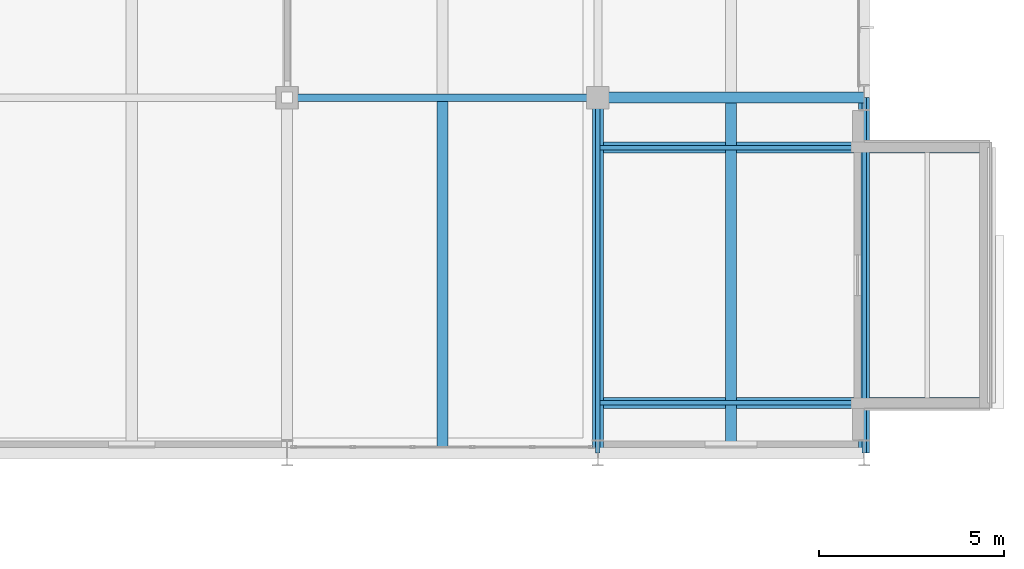
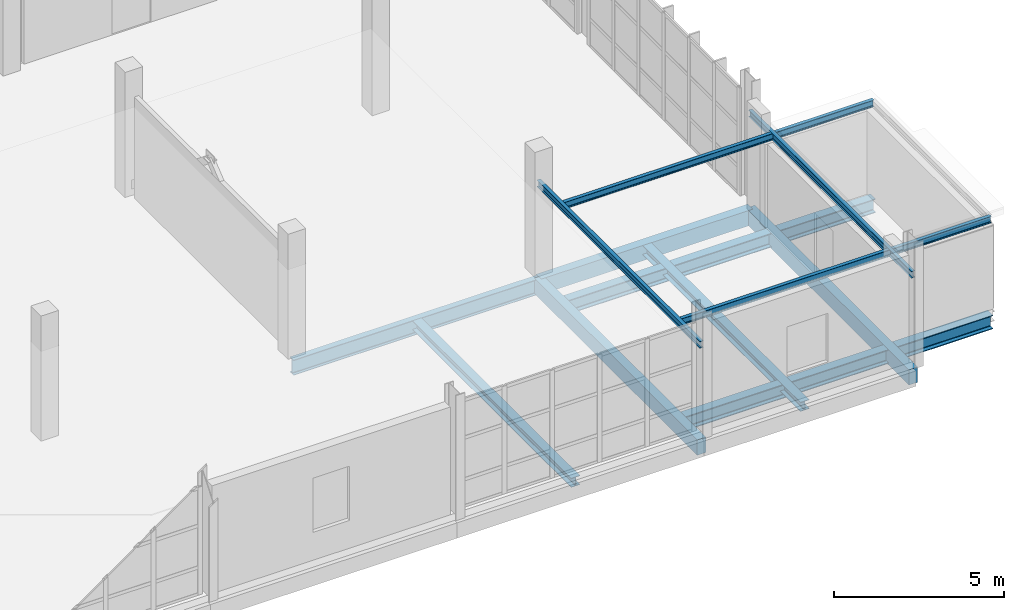
# One storey, part 67 of 113: 12 beams.
"""IFC4 building model written with IfcOpenShell, lengths in metres."""

from ifc_helpers import new_model, si_unit, direction, frame, origin, origin_2d, place, context, subcontext, project, spatial, rectangle, i_section, extrude, material, material_profile, profile_set, type_object, element, save


model = new_model("IFC4")

# Units and contexts
model_context = context("Model", 3, precision=1e-05, world=origin(), true_north=direction((0.0, 1.0)))
body_context = subcontext(model_context, "Body", "Model", "MODEL_VIEW")
ifc_project = project(units=[si_unit("LENGTHUNIT", "METRE"), si_unit("AREAUNIT", "SQUARE_METRE"), si_unit("VOLUMEUNIT", "CUBIC_METRE"), si_unit("PLANEANGLEUNIT", "RADIAN"), si_unit("MASSUNIT", "GRAM", prefix="KILO")], contexts=[model_context])

# Site, building, storey
site_placement = place(None, origin())
site = spatial("IfcSite", under=ifc_project, at=site_placement, CompositionType="ELEMENT")
building_placement = place(site_placement, origin())
building = spatial("IfcBuilding", under=site, at=building_placement, Name="Veltarok Museum of Natural Sciences", CompositionType="ELEMENT")
storey_placement = place(building_placement, frame((0.0, 0.0, 8.39990234375)))
storey = spatial("IfcBuildingStorey", under=building, at=storey_placement, Name="L01", CompositionType="ELEMENT", Elevation=8.39990234375)

# Beams
ifc_material_1 = material(Name="Steel S355J2", Category="steel")
ifc_material_profile_1 = material_profile(ifc_material_1, i_section(OverallWidth=0.2099609375, OverallDepth=0.550048828125, WebThickness=0.010986328125, FlangeThickness=0.01708984375, FilletRadius=0.02392578125, at=origin_2d()), Name="IPE 550")
ifc_profile_set_1 = profile_set([ifc_material_profile_1], Name="Steel S355J2")
beam_type_1 = type_object("IfcBeamType", Name="Archive Heavy Girder IPE 550", PredefinedType="BEAM", material=ifc_profile_set_1)
beam_1_placement = place(storey_placement, frame((149.199951171875, 9.60009765625, -0.52490234375), z_axis=(1.0, 0.0, 0.0), x_axis=(0.0, 1.0, 0.0)))
element("IfcBeam", 1, at=beam_1_placement, inside=storey, type_object=beam_type_1, Name="Beam BM-G03 L01 18-19/B", PredefinedType="BEAM", context=body_context, shape_type="SweptSolid", body=[
    extrude(i_section(OverallWidth=0.2099609375, OverallDepth=0.550048828125, WebThickness=0.010986328125, FlangeThickness=0.01708984375, FilletRadius=0.02392578125, at=origin_2d()), origin(), (0.0, 0.0, 1.0), 8.400146484375),
])
ifc_material_profile_2 = material_profile(ifc_material_1, i_section(OverallWidth=0.300048828125, OverallDepth=0.5, WebThickness=0.014404296875, FlangeThickness=0.028076171875, FilletRadius=0.027099609375, at=origin_2d()), Name="HEB 500")
ifc_profile_set_2 = profile_set([ifc_material_profile_2], Name="Steel S355J2")
beam_type_2 = type_object("IfcBeamType", Name="Cabinet Box Cantilever Girder HEB 500", PredefinedType="BEAM", material=ifc_profile_set_2)
for number, where, z_axis, x_axis, name in (
    (2, (157.60009765625, 1.35009765625, -0.5), (1.0, 0.0, 0.0), (0.0, 1.0, 0.0), "Cabinet Cantilever Girder DB-30-1"),
    (3, (157.60009765625, 8.25, -0.5), (1.0, 0.0, 0.0), (0.0, 1.0, 0.0), "Cabinet Cantilever Girder DB-30-2"),
):
    element("IfcBeam", number, at=place(storey_placement, frame(where, z_axis=z_axis, x_axis=x_axis)), inside=storey, type_object=beam_type_2, Name=name, PredefinedType="BEAM", context=body_context, shape_type="SweptSolid", body=[
        extrude(i_section(OverallWidth=0.300048828125, OverallDepth=0.5, WebThickness=0.014404296875, FlangeThickness=0.028076171875, FilletRadius=0.027099609375, at=origin_2d()), origin(), (0.0, 0.0, 1.0), 10.599853515625),
    ])
ifc_material_profile_3 = material_profile(ifc_material_1, i_section(OverallWidth=0.1201171875, OverallDepth=0.239990234375, WebThickness=0.006103515625, FlangeThickness=0.009765625, FilletRadius=0.014892578125, at=origin_2d()), Name="IPE 240")
ifc_profile_set_3 = profile_set([ifc_material_profile_3], Name="Steel S355J2")
beam_type_3 = type_object("IfcBeamType", Name="Cabinet Box Secondary Joist IPE 240", PredefinedType="JOIST", material=ifc_profile_set_3)
for number, where, z_axis, x_axis, name in (
    (4, (157.60009765625, 1.35009765625, 3.130126953125), (1.0, 0.0, 0.0), (0.0, 1.0, 0.0), "Cabinet Roof Rafter DB-30-1"),
    (5, (157.60009765625, 8.25, 3.130126953125), (1.0, 0.0, 0.0), (0.0, 1.0, 0.0), "Cabinet Roof Rafter DB-30-2"),
):
    element("IfcBeam", number, at=place(storey_placement, frame(where, z_axis=z_axis, x_axis=x_axis)), inside=storey, type_object=beam_type_3, Name=name, PredefinedType="JOIST", context=body_context, shape_type="SweptSolid", body=[
        extrude(i_section(OverallWidth=0.1201171875, OverallDepth=0.239990234375, WebThickness=0.006103515625, FlangeThickness=0.009765625, FilletRadius=0.014892578125, at=origin_2d()), origin(), (0.0, 0.0, 1.0), 10.599853515625),
    ])
for number, where, z_axis, x_axis, name in (
    (6, (164.800048828125, 0.0, 3.130126953125), (0.0, 1.0, 0.0), (-1.0, 0.0, 0.0), "Cabinet Roof Tie Beam DB-30-P"),
    (7, (157.60009765625, 0.0, 3.130126953125), (0.0, 1.0, 0.0), (-1.0, 0.0, 0.0), "Cabinet Roof Tie Beam DB-30-I"),
):
    element("IfcBeam", number, at=place(storey_placement, frame(where, z_axis=z_axis, x_axis=x_axis)), inside=storey, type_object=beam_type_3, Name=name, PredefinedType="JOIST", context=body_context, shape_type="SweptSolid", body=[
        extrude(i_section(OverallWidth=0.1201171875, OverallDepth=0.239990234375, WebThickness=0.006103515625, FlangeThickness=0.009765625, FilletRadius=0.014892578125, at=origin_2d()), origin(), (0.0, 0.0, 1.0), 9.60009765625),
    ])
ifc_material_2 = material(Name="Precast concrete C40/50", Category="concrete")
ifc_material_profile_4 = material_profile(ifc_material_2, rectangle(XDim=0.300048828125, YDim=0.550048828125, at=origin_2d()), Name="RC 300x550")
ifc_profile_set_4 = profile_set([ifc_material_profile_4], Name="Precast concrete C40/50")
beam_type_4 = type_object("IfcBeamType", Name="East Wing Precast Spandrel RC 300x550", PredefinedType="SPANDREL", material=ifc_profile_set_4)
beam_2_placement = place(storey_placement, frame((157.60009765625, 9.60009765625, -0.52490234375), z_axis=(1.0, 0.0, 0.0), x_axis=(0.0, 1.0, 0.0)))
element("IfcBeam", 8, at=beam_2_placement, inside=storey, type_object=beam_type_4, Name="Beam BM-SP02 L01 19-20/B", PredefinedType="SPANDREL", context=body_context, shape_type="SweptSolid", body=[
    extrude(rectangle(XDim=0.300048828125, YDim=0.550048828125, at=origin_2d()), origin(), (0.0, 0.0, 1.0), 7.199951171875),
])
for number, where, z_axis, x_axis, name in (
    (9, (157.60009765625, 0.0, -0.52490234375), (0.0, 1.0, 0.0), (-1.0, 0.0, 0.0), "Beam BM-SP02 L01 19/A-B"),
    (10, (164.800048828125, 0.0, -0.52490234375), (0.0, 1.0, 0.0), (-1.0, 0.0, 0.0), "Beam BM-SP02 L01 20/A-B"),
):
    element("IfcBeam", number, at=place(storey_placement, frame(where, z_axis=z_axis, x_axis=x_axis)), inside=storey, type_object=beam_type_4, Name=name, PredefinedType="SPANDREL", context=body_context, shape_type="SweptSolid", body=[
        extrude(rectangle(XDim=0.300048828125, YDim=0.550048828125, at=origin_2d()), origin(), (0.0, 0.0, 1.0), 9.60009765625),
    ])
ifc_material_profile_5 = material_profile(ifc_material_1, i_section(OverallWidth=0.300048828125, OverallDepth=0.330078125, WebThickness=0.009521484375, FlangeThickness=0.0166015625, FilletRadius=0.027099609375, at=origin_2d()), Name="HEA 340")
ifc_profile_set_5 = profile_set([ifc_material_profile_5], Name="Steel S355J2")
beam_type_5 = type_object("IfcBeamType", Name="Exhibition Floor Joist HEA 340", PredefinedType="JOIST", material=ifc_profile_set_5)
beam_3_placement = place(storey_placement, frame((153.39990234375, 0.14794921875, -0.414794921875), z_axis=(0.0, 1.0, 0.0), x_axis=(-1.0, 0.0, 0.0)))
element("IfcBeam", 11, at=beam_3_placement, inside=storey, type_object=beam_type_5, Name="Secondary Joist BM-J08 L01 18-19/A-B.1", PredefinedType="JOIST", context=body_context, shape_type="SweptSolid", body=[
    extrude(i_section(OverallWidth=0.300048828125, OverallDepth=0.330078125, WebThickness=0.009521484375, FlangeThickness=0.0166015625, FilletRadius=0.027099609375, at=origin_2d()), origin(), (0.0, 0.0, 1.0), 9.34912109375),
])
beam_4_placement = place(storey_placement, frame((161.199951171875, 0.14794921875, -0.414794921875), z_axis=(0.0, 1.0, 0.0), x_axis=(-1.0, 0.0, 0.0)))
element("IfcBeam", 12, at=beam_4_placement, inside=storey, type_object=beam_type_5, Name="Secondary Joist BM-J08 L01 19-20/A-B.1", PredefinedType="JOIST", context=body_context, shape_type="SweptSolid", body=[
    extrude(i_section(OverallWidth=0.300048828125, OverallDepth=0.330078125, WebThickness=0.009521484375, FlangeThickness=0.0166015625, FilletRadius=0.027099609375, at=origin_2d()), origin(), (0.0, 0.0, 1.0), 9.303955078125),
])

save(model, "model.ifc")
